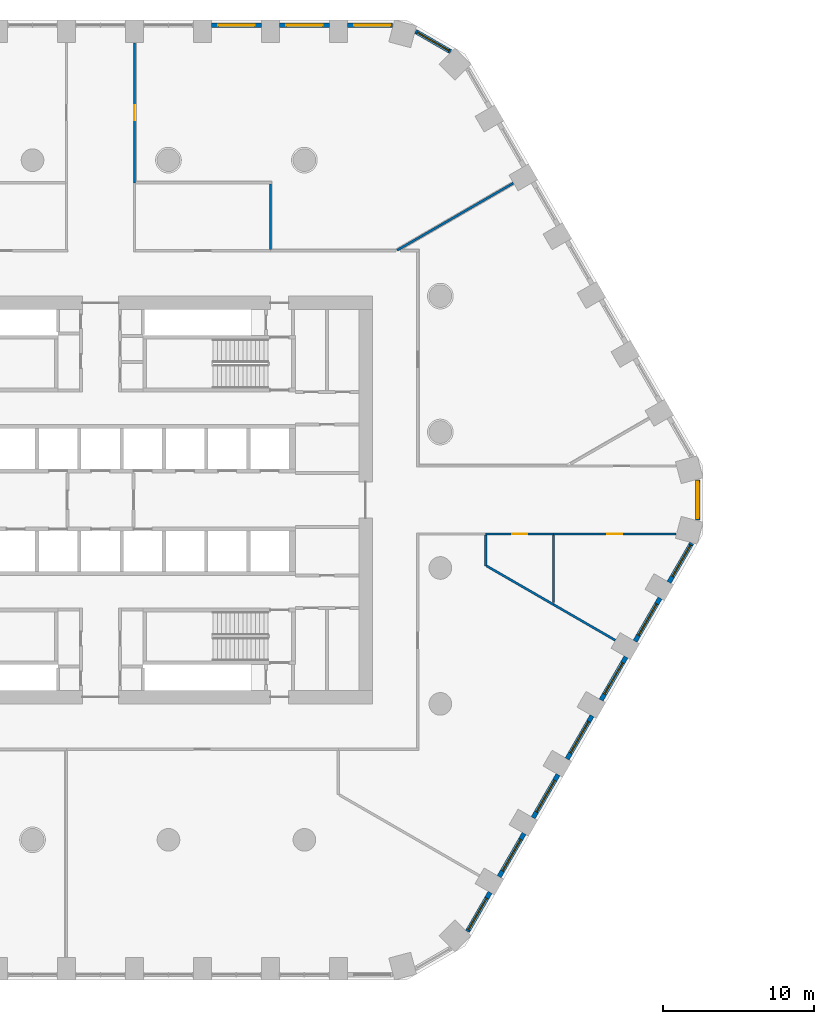
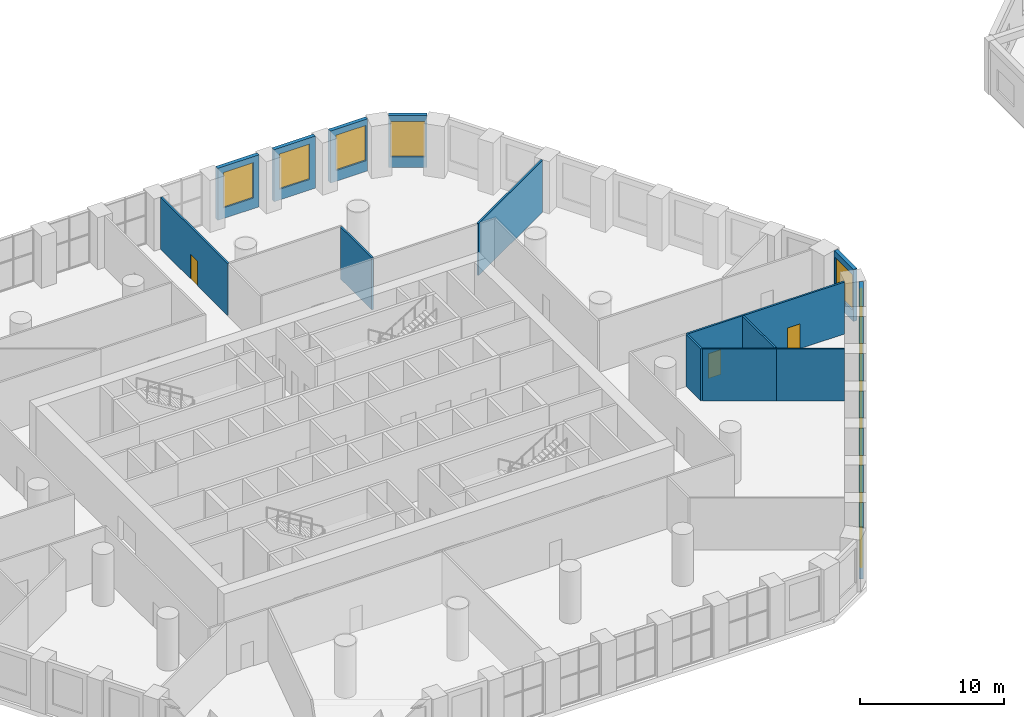
# One storey, part 12 of 26: 21 walls, 12 windows, 3 doors, 15 openings.
"""IFC4 building model written with IfcOpenShell, lengths in metres."""

from ifc_helpers import new_model, si_unit, direction, frame, frame_2d, origin, place, context, subcontext, project, spatial, rectangle, extrude, material, layer, layer_set, type_object, element, fill, save


model = new_model("IFC4")

# Units and contexts
model_context = context("Model", 3, precision=1e-05, world=origin(), true_north=direction((0.0, 1.0)))
body_context = subcontext(model_context, "Body", "Model", "MODEL_VIEW")
ifc_project = project(units=[si_unit("LENGTHUNIT", "METRE"), si_unit("AREAUNIT", "SQUARE_METRE"), si_unit("VOLUMEUNIT", "CUBIC_METRE"), si_unit("PLANEANGLEUNIT", "RADIAN"), si_unit("MASSUNIT", "GRAM", prefix="KILO")], contexts=[model_context])

# Site, building, storey
site_placement = place(None, origin())
site = spatial("IfcSite", under=ifc_project, at=site_placement, CompositionType="ELEMENT")
building_placement = place(site_placement, origin())
building = spatial("IfcBuilding", under=site, at=building_placement, Name="Dhurran Vertical Campus", CompositionType="ELEMENT")
storey_placement = place(building_placement, frame((0.0, 0.0, 15.60009765625)))
storey = spatial("IfcBuildingStorey", under=building, at=storey_placement, Name="L03", CompositionType="ELEMENT", Elevation=15.60009765625)

# Wall, opening, window
ifc_material_1 = material(Name="Precast concrete C50/60", Category="concrete")
ifc_layer_1 = layer(ifc_material_1, 0.300048828125)
ifc_layer_set_1 = layer_set([ifc_layer_1], Name="Precast concrete C50/60")
wall_type_1 = type_object("IfcWallType", Name="Precast spandrel wall 300", PredefinedType="SOLIDWALL", material=ifc_layer_set_1)
wall_1_placement = place(storey_placement, frame((24.29931640625, -28.566162109375, 0.0), z_axis=(0.0, 0.0, 1.0), x_axis=(0.49999586137, 0.866027793211, 0.0)))
wall_1 = element("IfcWall", 1, at=wall_1_placement, inside=storey, type_object=wall_type_1, Name="EW1 L03.10", PredefinedType="SOLIDWALL", context=body_context, shape_type="SweptSolid", body=[
    extrude(rectangle(XDim=2.98876953125, YDim=0.300048828125, at=frame_2d((1.494384765625, 0.0))), origin(), (0.0, 0.0, 1.0), 4.39990234375),
])
opening_1_placement = place(wall_1_placement, frame((0.139404296875, 0.0, 0.89990234375)))
opening_1 = element("IfcOpeningElement", 2, at=opening_1_placement, cuts=wall_1, Name="Opening WT2", PredefinedType="OPENING", context=body_context, shape_type="SweptSolid", body=[
    extrude(rectangle(XDim=2.39990234375, YDim=3.0, at=frame_2d((1.199951171875, 1.5))), frame((0.0, 0.159912109375, 0.0), z_axis=(0.0, -1.0, 0.0), x_axis=(1.0, 0.0, 0.0)), (0.0, 0.0, 1.0), 0.320068359375),
])
ifc_material_2 = material(Name="Aluminium frame with solar-control glass", Category="aluminium")
window_type = type_object("IfcWindowType", Name="Podium window 2400 x 3000", PartitioningType="SINGLE_PANEL", PredefinedType="WINDOW", material=ifc_material_2)
window_1_placement = place(opening_1_placement, origin())
window_1 = element("IfcWindow", 3, at=window_1_placement, inside=storey, type_object=window_type, Name="WT2 L03.10", OverallHeight=3.0, OverallWidth=2.39990234375, PartitioningType="SINGLE_PANEL", PredefinedType="WINDOW", context=body_context, shape_type="SweptSolid", body=[
    extrude(rectangle(XDim=2.39990234375, YDim=3.0, at=frame_2d((1.199951171875, 1.5))), frame((0.0, 0.030029296875, 0.0), z_axis=(0.0, -1.0, 0.0), x_axis=(1.0, 0.0, 0.0)), (0.0, 0.0, 1.0), 0.06005859375),
])
fill(opening_1, window_1)

wall_2_placement = place(storey_placement, frame((26.394287109375, -24.9375, 0.0), z_axis=(0.0, 0.0, 1.0), x_axis=(0.499991515992, 0.866030301974, 0.0)))
wall_2 = element("IfcWall", 4, at=wall_2_placement, inside=storey, type_object=wall_type_1, Name="EW1 L03.11", PredefinedType="SOLIDWALL", context=body_context, shape_type="SweptSolid", body=[
    extrude(rectangle(XDim=3.298828125, YDim=0.300048828125, at=frame_2d((1.6494140625, 0.0))), origin(), (0.0, 0.0, 1.0), 4.39990234375),
])
opening_2_placement = place(wall_2_placement, frame((0.449462890625, 0.0, 0.89990234375)))
opening_2 = element("IfcOpeningElement", 5, at=opening_2_placement, cuts=wall_2, Name="Opening WT2", PredefinedType="OPENING", context=body_context, shape_type="SweptSolid", body=[
    extrude(rectangle(XDim=2.39990234375, YDim=3.0, at=frame_2d((1.199951171875, 1.5))), frame((0.0, 0.159912109375, 0.0), z_axis=(0.0, -1.0, 0.0), x_axis=(1.0, 0.0, 0.0)), (0.0, 0.0, 1.0), 0.320068359375),
])
window_2_placement = place(opening_2_placement, origin())
window_2 = element("IfcWindow", 6, at=window_2_placement, inside=storey, type_object=window_type, Name="WT2 L03.11", OverallHeight=3.0, OverallWidth=2.39990234375, PartitioningType="SINGLE_PANEL", PredefinedType="WINDOW", context=body_context, shape_type="SweptSolid", body=[
    extrude(rectangle(XDim=2.39990234375, YDim=3.0, at=frame_2d((1.199951171875, 1.5))), frame((0.0, 0.030029296875, 0.0), z_axis=(0.0, -1.0, 0.0), x_axis=(1.0, 0.0, 0.0)), (0.0, 0.0, 1.0), 0.06005859375),
])
fill(opening_2, window_2)

wall_3_placement = place(storey_placement, frame((28.644287109375, -21.04052734375, 0.0), z_axis=(0.0, 0.0, 1.0), x_axis=(0.499991515992, 0.866030301974, 0.0)))
wall_3 = element("IfcWall", 7, at=wall_3_placement, inside=storey, type_object=wall_type_1, Name="EW1 L03.12", PredefinedType="SOLIDWALL", context=body_context, shape_type="SweptSolid", body=[
    extrude(rectangle(XDim=3.298828125, YDim=0.300048828125, at=frame_2d((1.6494140625, 0.0))), origin(), (0.0, 0.0, 1.0), 4.39990234375),
])
opening_3_placement = place(wall_3_placement, frame((0.449462890625, 0.0, 0.89990234375)))
opening_3 = element("IfcOpeningElement", 8, at=opening_3_placement, cuts=wall_3, Name="Opening WT2", PredefinedType="OPENING", context=body_context, shape_type="SweptSolid", body=[
    extrude(rectangle(XDim=2.39990234375, YDim=3.0, at=frame_2d((1.199951171875, 1.5))), frame((0.0, 0.159912109375, 0.0), z_axis=(0.0, -1.0, 0.0), x_axis=(1.0, 0.0, 0.0)), (0.0, 0.0, 1.0), 0.320068359375),
])
window_3_placement = place(opening_3_placement, origin())
window_3 = element("IfcWindow", 9, at=window_3_placement, inside=storey, type_object=window_type, Name="WT2 L03.12", OverallHeight=3.0, OverallWidth=2.39990234375, PartitioningType="SINGLE_PANEL", PredefinedType="WINDOW", context=body_context, shape_type="SweptSolid", body=[
    extrude(rectangle(XDim=2.39990234375, YDim=3.0, at=frame_2d((1.199951171875, 1.5))), frame((0.0, 0.030029296875, 0.0), z_axis=(0.0, -1.0, 0.0), x_axis=(1.0, 0.0, 0.0)), (0.0, 0.0, 1.0), 0.06005859375),
])
fill(opening_3, window_3)

wall_4_placement = place(storey_placement, frame((30.894287109375, -17.143310546875, 0.0), z_axis=(0.0, 0.0, 1.0), x_axis=(0.499991515992, 0.866030301974, 0.0)))
wall_4 = element("IfcWall", 10, at=wall_4_placement, inside=storey, type_object=wall_type_1, Name="EW1 L03.13", PredefinedType="SOLIDWALL", context=body_context, shape_type="SweptSolid", body=[
    extrude(rectangle(XDim=3.298828125, YDim=0.300048828125, at=frame_2d((1.6494140625, 0.0))), origin(), (0.0, 0.0, 1.0), 4.39990234375),
])
opening_4_placement = place(wall_4_placement, frame((0.449462890625, 0.0, 0.89990234375)))
opening_4 = element("IfcOpeningElement", 11, at=opening_4_placement, cuts=wall_4, Name="Opening WT2", PredefinedType="OPENING", context=body_context, shape_type="SweptSolid", body=[
    extrude(rectangle(XDim=2.39990234375, YDim=3.0, at=frame_2d((1.199951171875, 1.5))), frame((0.0, 0.159912109375, 0.0), z_axis=(0.0, -1.0, 0.0), x_axis=(1.0, 0.0, 0.0)), (0.0, 0.0, 1.0), 0.320068359375),
])
window_4_placement = place(opening_4_placement, origin())
window_4 = element("IfcWindow", 12, at=window_4_placement, inside=storey, type_object=window_type, Name="WT2 L03.13", OverallHeight=3.0, OverallWidth=2.39990234375, PartitioningType="SINGLE_PANEL", PredefinedType="WINDOW", context=body_context, shape_type="SweptSolid", body=[
    extrude(rectangle(XDim=2.39990234375, YDim=3.0, at=frame_2d((1.199951171875, 1.5))), frame((0.0, 0.030029296875, 0.0), z_axis=(0.0, -1.0, 0.0), x_axis=(1.0, 0.0, 0.0)), (0.0, 0.0, 1.0), 0.06005859375),
])
fill(opening_4, window_4)

wall_5_placement = place(storey_placement, frame((33.144287109375, -13.246337890625, 0.0), z_axis=(0.0, 0.0, 1.0), x_axis=(0.499991515992, 0.866030301974, 0.0)))
wall_5 = element("IfcWall", 13, at=wall_5_placement, inside=storey, type_object=wall_type_1, Name="EW1 L03.14", PredefinedType="SOLIDWALL", context=body_context, shape_type="SweptSolid", body=[
    extrude(rectangle(XDim=3.298828125, YDim=0.300048828125, at=frame_2d((1.6494140625, 0.0))), origin(), (0.0, 0.0, 1.0), 4.39990234375),
])
opening_5_placement = place(wall_5_placement, frame((0.449462890625, 0.0, 0.89990234375)))
opening_5 = element("IfcOpeningElement", 14, at=opening_5_placement, cuts=wall_5, Name="Opening WT2", PredefinedType="OPENING", context=body_context, shape_type="SweptSolid", body=[
    extrude(rectangle(XDim=2.39990234375, YDim=3.0, at=frame_2d((1.199951171875, 1.5))), frame((0.0, 0.159912109375, 0.0), z_axis=(0.0, -1.0, 0.0), x_axis=(1.0, 0.0, 0.0)), (0.0, 0.0, 1.0), 0.320068359375),
])
window_5_placement = place(opening_5_placement, origin())
window_5 = element("IfcWindow", 15, at=window_5_placement, inside=storey, type_object=window_type, Name="WT2 L03.14", OverallHeight=3.0, OverallWidth=2.39990234375, PartitioningType="SINGLE_PANEL", PredefinedType="WINDOW", context=body_context, shape_type="SweptSolid", body=[
    extrude(rectangle(XDim=2.39990234375, YDim=3.0, at=frame_2d((1.199951171875, 1.5))), frame((0.0, 0.030029296875, 0.0), z_axis=(0.0, -1.0, 0.0), x_axis=(1.0, 0.0, 0.0)), (0.0, 0.0, 1.0), 0.06005859375),
])
fill(opening_5, window_5)

wall_6_placement = place(storey_placement, frame((35.394287109375, -9.34912109375, 0.0), z_axis=(0.0, 0.0, 1.0), x_axis=(0.499991515992, 0.866030301974, 0.0)))
wall_6 = element("IfcWall", 16, at=wall_6_placement, inside=storey, type_object=wall_type_1, Name="EW1 L03.15", PredefinedType="SOLIDWALL", context=body_context, shape_type="SweptSolid", body=[
    extrude(rectangle(XDim=3.298828125, YDim=0.300048828125, at=frame_2d((1.6494140625, 0.0))), origin(), (0.0, 0.0, 1.0), 4.39990234375),
])
opening_6_placement = place(wall_6_placement, frame((0.449462890625, 0.0, 0.89990234375)))
opening_6 = element("IfcOpeningElement", 17, at=opening_6_placement, cuts=wall_6, Name="Opening WT2", PredefinedType="OPENING", context=body_context, shape_type="SweptSolid", body=[
    extrude(rectangle(XDim=2.39990234375, YDim=3.0, at=frame_2d((1.199951171875, 1.5))), frame((0.0, 0.159912109375, 0.0), z_axis=(0.0, -1.0, 0.0), x_axis=(1.0, 0.0, 0.0)), (0.0, 0.0, 1.0), 0.320068359375),
])
window_6_placement = place(opening_6_placement, origin())
window_6 = element("IfcWindow", 18, at=window_6_placement, inside=storey, type_object=window_type, Name="WT2 L03.15", OverallHeight=3.0, OverallWidth=2.39990234375, PartitioningType="SINGLE_PANEL", PredefinedType="WINDOW", context=body_context, shape_type="SweptSolid", body=[
    extrude(rectangle(XDim=2.39990234375, YDim=3.0, at=frame_2d((1.199951171875, 1.5))), frame((0.0, 0.030029296875, 0.0), z_axis=(0.0, -1.0, 0.0), x_axis=(1.0, 0.0, 0.0)), (0.0, 0.0, 1.0), 0.06005859375),
])
fill(opening_6, window_6)

wall_7_placement = place(storey_placement, frame((37.644287109375, -5.4521484375, 0.0), z_axis=(0.0, 0.0, 1.0), x_axis=(0.49999586137, 0.866027793211, 0.0)))
wall_7 = element("IfcWall", 19, at=wall_7_placement, inside=storey, type_object=wall_type_1, Name="EW1 L03.16", PredefinedType="SOLIDWALL", context=body_context, shape_type="SweptSolid", body=[
    extrude(rectangle(XDim=2.98876953125, YDim=0.300048828125, at=frame_2d((1.494384765625, 0.0))), origin(), (0.0, 0.0, 1.0), 4.39990234375),
])
opening_7_placement = place(wall_7_placement, frame((0.449462890625, 0.0, 0.89990234375)))
opening_7 = element("IfcOpeningElement", 20, at=opening_7_placement, cuts=wall_7, Name="Opening WT2", PredefinedType="OPENING", context=body_context, shape_type="SweptSolid", body=[
    extrude(rectangle(XDim=2.39990234375, YDim=3.0, at=frame_2d((1.199951171875, 1.5))), frame((0.0, 0.159912109375, 0.0), z_axis=(0.0, -1.0, 0.0), x_axis=(1.0, 0.0, 0.0)), (0.0, 0.0, 1.0), 0.320068359375),
])
window_7_placement = place(opening_7_placement, origin())
window_7 = element("IfcWindow", 21, at=window_7_placement, inside=storey, type_object=window_type, Name="WT2 L03.16", OverallHeight=3.0, OverallWidth=2.39990234375, PartitioningType="SINGLE_PANEL", PredefinedType="WINDOW", context=body_context, shape_type="SweptSolid", body=[
    extrude(rectangle(XDim=2.39990234375, YDim=3.0, at=frame_2d((1.199951171875, 1.5))), frame((0.0, 0.030029296875, 0.0), z_axis=(0.0, -1.0, 0.0), x_axis=(1.0, 0.0, 0.0)), (0.0, 0.0, 1.0), 0.06005859375),
])
fill(opening_7, window_7)

wall_8_placement = place(storey_placement, frame((39.547119140625, -1.33935546875, 0.0), z_axis=(0.0, 0.0, 1.0), x_axis=(0.0, 1.0, 0.0)))
wall_8 = element("IfcWall", 22, at=wall_8_placement, inside=storey, type_object=wall_type_1, Name="EW1 L03.17", PredefinedType="SOLIDWALL", context=body_context, shape_type="SweptSolid", body=[
    extrude(rectangle(XDim=2.6787109375, YDim=0.300048828125, at=frame_2d((1.33935546875, 0.0))), origin(), (0.0, 0.0, 1.0), 4.39990234375),
])
opening_8_placement = place(wall_8_placement, frame((0.139404296875, 0.0, 0.89990234375)))
opening_8 = element("IfcOpeningElement", 23, at=opening_8_placement, cuts=wall_8, Name="Opening WT2", PredefinedType="OPENING", context=body_context, shape_type="SweptSolid", body=[
    extrude(rectangle(XDim=2.39990234375, YDim=3.0, at=frame_2d((1.199951171875, 1.5))), frame((0.0, 0.159912109375, 0.0), z_axis=(0.0, -1.0, 0.0), x_axis=(1.0, 0.0, 0.0)), (0.0, 0.0, 1.0), 0.320068359375),
])
window_8_placement = place(opening_8_placement, origin())
window_8 = element("IfcWindow", 24, at=window_8_placement, inside=storey, type_object=window_type, Name="WT2 L03.17", OverallHeight=3.0, OverallWidth=2.39990234375, PartitioningType="SINGLE_PANEL", PredefinedType="WINDOW", context=body_context, shape_type="SweptSolid", body=[
    extrude(rectangle(XDim=2.39990234375, YDim=3.0, at=frame_2d((1.199951171875, 1.5))), frame((0.0, 0.030029296875, 0.0), z_axis=(0.0, -1.0, 0.0), x_axis=(1.0, 0.0, 0.0)), (0.0, 0.0, 1.0), 0.06005859375),
])
fill(opening_8, window_8)

wall_9_placement = place(storey_placement, frame((23.183349609375, 29.681884765625, 0.0), z_axis=(0.0, 0.0, 1.0), x_axis=(-0.866001915448, 0.500040680786, 0.0)))
wall_9 = element("IfcWall", 25, at=wall_9_placement, inside=storey, type_object=wall_type_1, Name="EW1 L03.25", PredefinedType="SOLIDWALL", context=body_context, shape_type="SweptSolid", body=[
    extrude(rectangle(XDim=2.678466796875, YDim=0.300048828125, at=frame_2d((1.33935546875, 0.0))), origin(), (0.0, 0.0, 1.0), 4.39990234375),
])
opening_9_placement = place(wall_9_placement, frame((0.139404296875, 0.0, 0.89990234375)))
opening_9 = element("IfcOpeningElement", 26, at=opening_9_placement, cuts=wall_9, Name="Opening WT2", PredefinedType="OPENING", context=body_context, shape_type="SweptSolid", body=[
    extrude(rectangle(XDim=2.39990234375, YDim=3.0, at=frame_2d((1.199951171875, 1.5))), frame((0.0, 0.159912109375, 0.0), z_axis=(0.0, -1.0, 0.0), x_axis=(1.0, 0.0, 0.0)), (0.0, 0.0, 1.0), 0.320068359375),
])
window_9_placement = place(opening_9_placement, origin())
window_9 = element("IfcWindow", 27, at=window_9_placement, inside=storey, type_object=window_type, Name="WT2 L03.25", OverallHeight=3.0, OverallWidth=2.39990234375, PartitioningType="SINGLE_PANEL", PredefinedType="WINDOW", context=body_context, shape_type="SweptSolid", body=[
    extrude(rectangle(XDim=2.39990234375, YDim=3.0, at=frame_2d((1.199951171875, 1.5))), frame((0.0, 0.030029296875, 0.0), z_axis=(0.0, -1.0, 0.0), x_axis=(1.0, 0.0, 0.0)), (0.0, 0.0, 1.0), 0.06005859375),
])
fill(opening_9, window_9)

wall_10_placement = place(storey_placement, frame((19.33935546875, 31.4296875, 0.0), z_axis=(0.0, 0.0, 1.0), x_axis=(-1.0, 0.0, 0.0)))
wall_10 = element("IfcWall", 28, at=wall_10_placement, inside=storey, type_object=wall_type_1, Name="EW1 L03.26", PredefinedType="SOLIDWALL", context=body_context, shape_type="SweptSolid", body=[
    extrude(rectangle(XDim=2.98876953125, YDim=0.300048828125, at=frame_2d((1.494384765625, 0.0))), origin(), (0.0, 0.0, 1.0), 4.39990234375),
])
opening_10_placement = place(wall_10_placement, frame((0.139404296875, 0.0, 0.89990234375)))
opening_10 = element("IfcOpeningElement", 29, at=opening_10_placement, cuts=wall_10, Name="Opening WT2", PredefinedType="OPENING", context=body_context, shape_type="SweptSolid", body=[
    extrude(rectangle(XDim=2.39990234375, YDim=3.0, at=frame_2d((1.199951171875, 1.5))), frame((0.0, 0.159912109375, 0.0), z_axis=(0.0, -1.0, 0.0), x_axis=(1.0, 0.0, 0.0)), (0.0, 0.0, 1.0), 0.320068359375),
])
window_10_placement = place(opening_10_placement, origin())
window_10 = element("IfcWindow", 30, at=window_10_placement, inside=storey, type_object=window_type, Name="WT2 L03.26", OverallHeight=3.0, OverallWidth=2.39990234375, PartitioningType="SINGLE_PANEL", PredefinedType="WINDOW", context=body_context, shape_type="SweptSolid", body=[
    extrude(rectangle(XDim=2.39990234375, YDim=3.0, at=frame_2d((1.199951171875, 1.5))), frame((0.0, 0.030029296875, 0.0), z_axis=(0.0, -1.0, 0.0), x_axis=(1.0, 0.0, 0.0)), (0.0, 0.0, 1.0), 0.06005859375),
])
fill(opening_10, window_10)

wall_11_placement = place(storey_placement, frame((15.1494140625, 31.4296875, 0.0), z_axis=(0.0, 0.0, 1.0), x_axis=(-1.0, 0.0, 0.0)))
wall_11 = element("IfcWall", 31, at=wall_11_placement, inside=storey, type_object=wall_type_1, Name="EW1 L03.27", PredefinedType="SOLIDWALL", context=body_context, shape_type="SweptSolid", body=[
    extrude(rectangle(XDim=3.298828125, YDim=0.300048828125, at=frame_2d((1.6494140625, 0.0))), origin(), (0.0, 0.0, 1.0), 4.39990234375),
])
opening_11_placement = place(wall_11_placement, frame((0.449462890625, 0.0, 0.89990234375)))
opening_11 = element("IfcOpeningElement", 32, at=opening_11_placement, cuts=wall_11, Name="Opening WT2", PredefinedType="OPENING", context=body_context, shape_type="SweptSolid", body=[
    extrude(rectangle(XDim=2.39990234375, YDim=3.0, at=frame_2d((1.199951171875, 1.5))), frame((0.0, 0.159912109375, 0.0), z_axis=(0.0, -1.0, 0.0), x_axis=(1.0, 0.0, 0.0)), (0.0, 0.0, 1.0), 0.320068359375),
])
window_11_placement = place(opening_11_placement, origin())
window_11 = element("IfcWindow", 33, at=window_11_placement, inside=storey, type_object=window_type, Name="WT2 L03.27", OverallHeight=3.0, OverallWidth=2.39990234375, PartitioningType="SINGLE_PANEL", PredefinedType="WINDOW", context=body_context, shape_type="SweptSolid", body=[
    extrude(rectangle(XDim=2.39990234375, YDim=3.0, at=frame_2d((1.199951171875, 1.5))), frame((0.0, 0.030029296875, 0.0), z_axis=(0.0, -1.0, 0.0), x_axis=(1.0, 0.0, 0.0)), (0.0, 0.0, 1.0), 0.06005859375),
])
fill(opening_11, window_11)

wall_12_placement = place(storey_placement, frame((10.6494140625, 31.4296875, 0.0), z_axis=(0.0, 0.0, 1.0), x_axis=(-1.0, 0.0, 0.0)))
wall_12 = element("IfcWall", 34, at=wall_12_placement, inside=storey, type_object=wall_type_1, Name="EW1 L03.28", PredefinedType="SOLIDWALL", context=body_context, shape_type="SweptSolid", body=[
    extrude(rectangle(XDim=3.298828125, YDim=0.300048828125, at=frame_2d((1.6494140625, 0.0))), origin(), (0.0, 0.0, 1.0), 4.39990234375),
])
opening_12_placement = place(wall_12_placement, frame((0.449462890625, 0.0, 0.89990234375)))
opening_12 = element("IfcOpeningElement", 35, at=opening_12_placement, cuts=wall_12, Name="Opening WT2", PredefinedType="OPENING", context=body_context, shape_type="SweptSolid", body=[
    extrude(rectangle(XDim=2.39990234375, YDim=3.0, at=frame_2d((1.199951171875, 1.5))), frame((0.0, 0.159912109375, 0.0), z_axis=(0.0, -1.0, 0.0), x_axis=(1.0, 0.0, 0.0)), (0.0, 0.0, 1.0), 0.320068359375),
])
window_12_placement = place(opening_12_placement, origin())
window_12 = element("IfcWindow", 36, at=window_12_placement, inside=storey, type_object=window_type, Name="WT2 L03.28", OverallHeight=3.0, OverallWidth=2.39990234375, PartitioningType="SINGLE_PANEL", PredefinedType="WINDOW", context=body_context, shape_type="SweptSolid", body=[
    extrude(rectangle(XDim=2.39990234375, YDim=3.0, at=frame_2d((1.199951171875, 1.5))), frame((0.0, 0.030029296875, 0.0), z_axis=(0.0, -1.0, 0.0), x_axis=(1.0, 0.0, 0.0)), (0.0, 0.0, 1.0), 0.06005859375),
])
fill(opening_12, window_12)

# Wall, opening, door
ifc_material_3 = material(Name="Gypsum board corridor wall on steel studs", Category="steel")
ifc_layer_2 = layer(ifc_material_3, 0.14990234375)
ifc_layer_set_2 = layer_set([ifc_layer_2], Name="Gypsum board corridor wall on steel studs")
wall_type_2 = type_object("IfcWallType", Name="fl-CW-150 corridor wall", PredefinedType="PARTITIONING", material=ifc_layer_set_2)
wall_13_placement = place(storey_placement, frame((2.25, 30.259765625, 0.0), z_axis=(0.0, 0.0, 1.0), x_axis=(0.0, -1.0, 0.0)))
wall_13 = element("IfcWall", 37, at=wall_13_placement, inside=storey, type_object=wall_type_2, Name="Partition 03-30", PredefinedType="PARTITIONING", context=body_context, shape_type="SweptSolid", body=[
    extrude(rectangle(XDim=9.259765625, YDim=0.14990234375, at=frame_2d((4.6298828125, 0.0))), origin(), (0.0, 0.0, 1.0), 4.39990234375),
])
opening_13_placement = place(wall_13_placement, frame((4.1298828125, 0.0, 0.0)))
opening_13 = element("IfcOpeningElement", 38, at=opening_13_placement, cuts=wall_13, Name="Opening PD03.12", PredefinedType="OPENING", context=body_context, shape_type="SweptSolid", body=[
    extrude(rectangle(XDim=1.0, YDim=2.10009765625, at=frame_2d((0.5, 1.050048828125))), frame((0.0, 0.0849609375, 0.0), z_axis=(0.0, -1.0, 0.0), x_axis=(1.0, 0.0, 0.0)), (0.0, 0.0, 1.0), 0.169921875),
])
ifc_material_4 = material(Name="Solid-core timber door set, fire-rated", Category="wood")
door_type = type_object("IfcDoorType", Name="fl-D-1000x2100", OperationType="SINGLE_SWING_LEFT", PredefinedType="DOOR", material=ifc_material_4)
door_1_placement = place(opening_13_placement, origin())
door_1 = element("IfcDoor", 39, at=door_1_placement, inside=storey, type_object=door_type, Name="Door 03.12", OperationType="SINGLE_SWING_LEFT", OverallHeight=2.10009765625, OverallWidth=1.0, PredefinedType="DOOR", context=body_context, shape_type="SweptSolid", body=[
    extrude(rectangle(XDim=1.0, YDim=2.10009765625, at=frame_2d((0.5, 1.050048828125))), frame((0.0, 0.02490234375, 0.0), z_axis=(0.0, -1.0, 0.0), x_axis=(1.0, 0.0, 0.0)), (0.0, 0.0, 1.0), 0.050048828125),
])
fill(opening_13, door_1)

wall_14_placement = place(storey_placement, frame((30.0, -2.25, 0.0), z_axis=(0.0, 0.0, 1.0), x_axis=(-1.0, 0.0, 0.0)))
wall_14 = element("IfcWall", 40, at=wall_14_placement, inside=storey, type_object=wall_type_2, Name="Partition 03-45", PredefinedType="PARTITIONING", context=body_context, shape_type="SweptSolid", body=[
    extrude(rectangle(XDim=4.5, YDim=0.14990234375, at=frame_2d((2.25, 0.0))), origin(), (0.0, 0.0, 1.0), 4.39990234375),
])
opening_14_placement = place(wall_14_placement, frame((1.75, 0.0, 0.0)))
opening_14 = element("IfcOpeningElement", 41, at=opening_14_placement, cuts=wall_14, Name="Opening PD03.15", PredefinedType="OPENING", context=body_context, shape_type="SweptSolid", body=[
    extrude(rectangle(XDim=1.0, YDim=2.10009765625, at=frame_2d((0.5, 1.050048828125))), frame((0.0, 0.0849609375, 0.0), z_axis=(0.0, -1.0, 0.0), x_axis=(1.0, 0.0, 0.0)), (0.0, 0.0, 1.0), 0.169921875),
])
door_2_placement = place(opening_14_placement, origin())
door_2 = element("IfcDoor", 42, at=door_2_placement, inside=storey, type_object=door_type, Name="Door 03.15", OperationType="SINGLE_SWING_RIGHT", OverallHeight=2.10009765625, OverallWidth=1.0, PredefinedType="DOOR", context=body_context, shape_type="SweptSolid", body=[
    extrude(rectangle(XDim=1.0, YDim=2.10009765625, at=frame_2d((0.5, 1.050048828125))), frame((0.0, 0.02490234375, 0.0), z_axis=(0.0, -1.0, 0.0), x_axis=(1.0, 0.0, 0.0)), (0.0, 0.0, 1.0), 0.050048828125),
])
fill(opening_14, door_2)

wall_15_placement = place(storey_placement, frame((38.115478515625, -2.25, 0.0), z_axis=(0.0, 0.0, 1.0), x_axis=(-1.0, 0.0, 0.0)))
wall_15 = element("IfcWall", 43, at=wall_15_placement, inside=storey, type_object=wall_type_2, Name="Partition 03-48", PredefinedType="PARTITIONING", context=body_context, shape_type="SweptSolid", body=[
    extrude(rectangle(XDim=8.115478515625, YDim=0.14990234375, at=frame_2d((4.0576171875, 0.0))), origin(), (0.0, 0.0, 1.0), 4.39990234375),
])
opening_15_placement = place(wall_15_placement, frame((3.5576171875, 0.0, 0.0)))
opening_15 = element("IfcOpeningElement", 44, at=opening_15_placement, cuts=wall_15, Name="Opening PD03.16", PredefinedType="OPENING", context=body_context, shape_type="SweptSolid", body=[
    extrude(rectangle(XDim=1.0, YDim=2.10009765625, at=frame_2d((0.5, 1.050048828125))), frame((0.0, 0.0849609375, 0.0), z_axis=(0.0, -1.0, 0.0), x_axis=(1.0, 0.0, 0.0)), (0.0, 0.0, 1.0), 0.169921875),
])
door_3_placement = place(opening_15_placement, origin())
door_3 = element("IfcDoor", 45, at=door_3_placement, inside=storey, type_object=door_type, Name="Door 03.16", OperationType="SINGLE_SWING_RIGHT", OverallHeight=2.10009765625, OverallWidth=1.0, PredefinedType="DOOR", context=body_context, shape_type="SweptSolid", body=[
    extrude(rectangle(XDim=1.0, YDim=2.10009765625, at=frame_2d((0.5, 1.050048828125))), frame((0.0, 0.02490234375, 0.0), z_axis=(0.0, -1.0, 0.0), x_axis=(1.0, 0.0, 0.0)), (0.0, 0.0, 1.0), 0.050048828125),
])
fill(opening_15, door_3)

# Walls
ifc_material_5 = material(Name="Gypsum board partition on steel studs", Category="steel")
ifc_layer_3 = layer(ifc_material_5, 0.14990234375)
ifc_layer_set_3 = layer_set([ifc_layer_3], Name="Gypsum board partition on steel studs")
wall_type_3 = type_object("IfcWallType", Name="fl-PW-150 fixed partition", PredefinedType="PARTITIONING", material=ifc_layer_set_3)
wall_16_placement = place(storey_placement, frame((11.25, 20.925048828125, 0.0), z_axis=(0.0, 0.0, 1.0), x_axis=(0.0, -1.0, 0.0)))
element("IfcWall", 46, at=wall_16_placement, inside=storey, type_object=wall_type_3, Name="Partition 03-32", PredefinedType="PARTITIONING", context=body_context, shape_type="SweptSolid", body=[
    extrude(rectangle(XDim=4.35009765625, YDim=0.14990234375, at=frame_2d((2.175048828125, 0.0))), origin(), (0.0, 0.0, 1.0), 4.39990234375),
])
wall_17_placement = place(storey_placement, frame((27.33056640625, 20.97607421875, 0.0), z_axis=(0.0, 0.0, 1.0), x_axis=(-0.866000072607, -0.50004387232, 0.0)))
element("IfcWall", 47, at=wall_17_placement, inside=storey, type_object=wall_type_3, Name="Partition 03-38", PredefinedType="PARTITIONING", context=body_context, shape_type="SweptSolid", body=[
    extrude(rectangle(XDim=8.876220703125, YDim=0.14990234375, at=frame_2d((4.43798828125, 0.0))), origin(), (0.0, 0.0, 1.0), 4.39990234375),
])
wall_18_placement = place(storey_placement, frame((25.5, -2.324951171875, 0.0), z_axis=(0.0, 0.0, 1.0), x_axis=(0.0, -1.0, 0.0)))
element("IfcWall", 48, at=wall_18_placement, inside=storey, type_object=wall_type_3, Name="Partition 03-43", PredefinedType="PARTITIONING", context=body_context, shape_type="SweptSolid", body=[
    extrude(rectangle(XDim=2.030029296875, YDim=0.14990234375, at=frame_2d((1.01513671875, 0.0))), origin(), (0.0, 0.0, 1.0), 4.39990234375),
])
wall_19_placement = place(storey_placement, frame((25.56494140625, -4.367431640625, 0.0), z_axis=(0.0, 0.0, 1.0), x_axis=(0.866028396804, -0.499994815902, 0.0)))
element("IfcWall", 49, at=wall_19_placement, inside=storey, type_object=wall_type_3, Name="Partition 03-44", PredefinedType="PARTITIONING", context=body_context, shape_type="SweptSolid", body=[
    extrude(rectangle(XDim=5.12109375, YDim=0.14990234375, at=frame_2d((2.560546875, 0.0))), origin(), (0.0, 0.0, 1.0), 4.39990234375),
])
wall_20_placement = place(storey_placement, frame((30.0, -2.324951171875, 0.0), z_axis=(0.0, 0.0, 1.0), x_axis=(0.0, -1.0, 0.0)))
element("IfcWall", 50, at=wall_20_placement, inside=storey, type_object=wall_type_3, Name="Partition 03-46", PredefinedType="PARTITIONING", context=body_context, shape_type="SweptSolid", body=[
    extrude(rectangle(XDim=4.47314453125, YDim=0.14990234375, at=frame_2d((2.236572265625, 0.0))), origin(), (0.0, 0.0, 1.0), 4.39990234375),
])
wall_21_placement = place(storey_placement, frame((30.0, -6.927978515625, 0.0), z_axis=(0.0, 0.0, 1.0), x_axis=(0.86601216145, -0.500022935695, 0.0)))
element("IfcWall", 51, at=wall_21_placement, inside=storey, type_object=wall_type_3, Name="Partition 03-47", PredefinedType="PARTITIONING", context=body_context, shape_type="SweptSolid", body=[
    extrude(rectangle(XDim=4.712158203125, YDim=0.14990234375, at=frame_2d((2.35595703125, 0.0))), origin(), (0.0, 0.0, 1.0), 4.39990234375),
])

save(model, "model.ifc")
